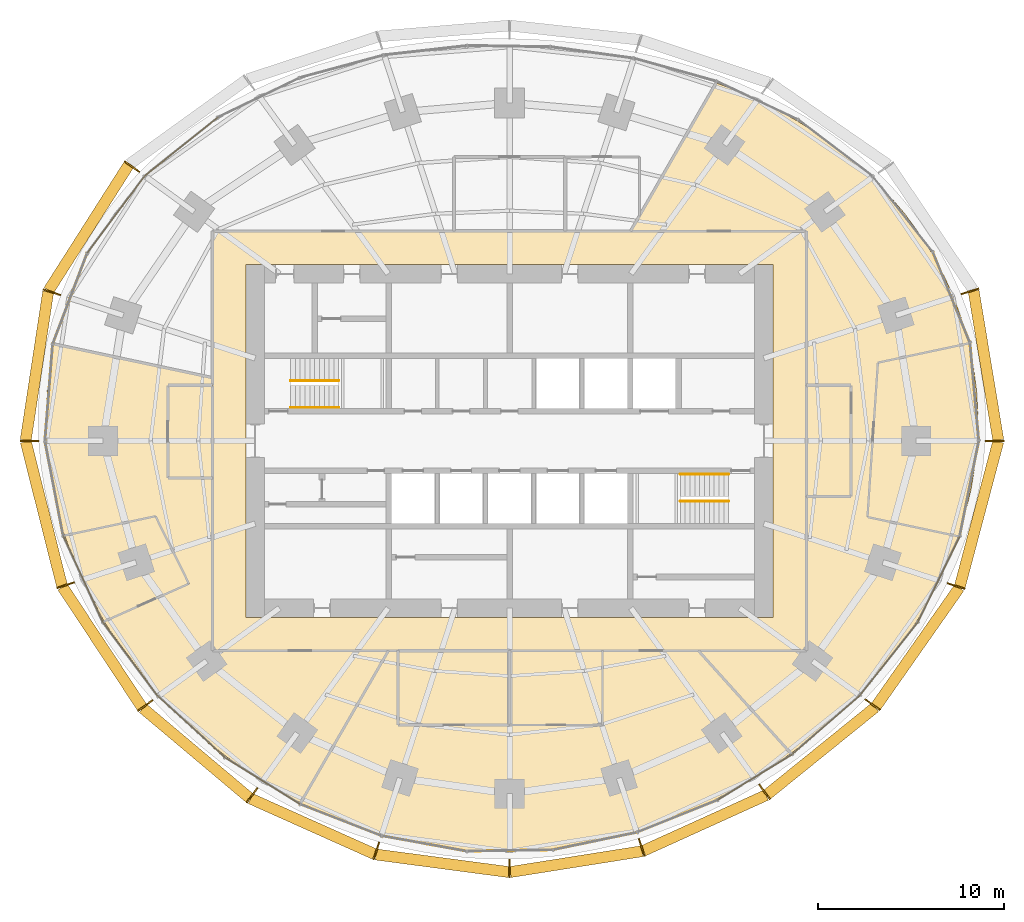
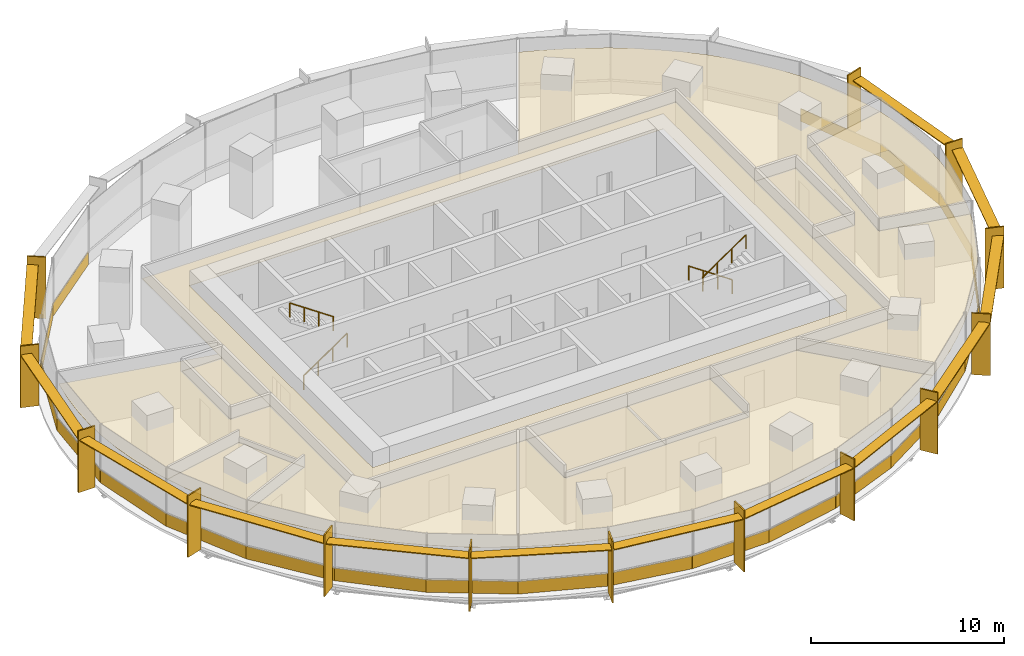
# One storey, part 13 of 14: 31 coverings, 27 shading devices, 4 railings.
"""IFC4 building model written with IfcOpenShell, lengths in metres."""

from ifc_helpers import new_model, si_unit, direction, frame, origin, origin_2d, place, context, subcontext, project, spatial, polyline, rectangle, circle, outline, extrude, material, layer, layer_set, type_object, element, save


model = new_model("IFC4")

# Units and contexts
model_context = context("Model", 3, precision=1e-05, world=origin(), true_north=direction((0.0, 1.0)))
body_context = subcontext(model_context, "Body", "Model", "MODEL_VIEW")
ifc_project = project(units=[si_unit("LENGTHUNIT", "METRE"), si_unit("AREAUNIT", "SQUARE_METRE"), si_unit("VOLUMEUNIT", "CUBIC_METRE"), si_unit("PLANEANGLEUNIT", "RADIAN"), si_unit("MASSUNIT", "GRAM", prefix="KILO")], contexts=[model_context])

# Site, building, storey
site_placement = place(None, origin())
site = spatial("IfcSite", under=ifc_project, at=site_placement, CompositionType="ELEMENT")
building_placement = place(site_placement, origin())
building = spatial("IfcBuilding", under=site, at=building_placement, Name="Marramba Exchange Tower", CompositionType="ELEMENT")
storey_placement = place(building_placement, frame((0.0, 0.0, 115.800048828125)))
storey = spatial("IfcBuildingStorey", under=building, at=storey_placement, Name="L27", CompositionType="ELEMENT", Elevation=115.800048828125)

# Shading devices
ifc_material_1 = material(Name="Aluminium blade, timber-look bronze finish", Category="wood")
ifc_layer_1 = layer(ifc_material_1, 0.080078125)
ifc_layer_set_1 = layer_set([ifc_layer_1], Name="Floor-edge blade 1000x80")
shading_device_type_1 = type_object("IfcShadingDeviceType", Name="Floor-edge blade 1000x80", PredefinedType="USERDEFINED", material=ifc_layer_set_1)
for number, where, z_axis, x_axis, name in (
    (1, (26.132080078125, 0.0, -0.159912109375), (0.0, 0.0, 1.0), (1.0, 0.0, 0.0), "Floor-edge blade FB1 L27 TC01"),
    (2, (24.798583984375, 8.0576171875, -0.159912109375), (0.0, 0.0, 1.0), (0.951056516295, 0.309016994375, 0.0), "Floor-edge blade FB1 L27 TC02"),
    (3, (-20.33642578125, 14.775390625, -0.159912109375), (0.0, 0.0, 1.0), (-0.809016994375, 0.587785252292, 0.0), "Floor-edge blade FB1 L27 TC09"),
    (4, (-24.653076171875, 8.01025390625, -0.159912109375), (0.0, 0.0, 1.0), (-0.951056516295, 0.309016994375, 0.0), "Floor-edge blade FB1 L27 TC10"),
    (5, (-25.867919921875, 0.0, -0.159912109375), (0.0, 0.0, 1.0), (-1.0, 0.0, 0.0), "Floor-edge blade FB1 L27 TC11"),
    (6, (-23.90673828125, -7.767822265625, -0.159912109375), (0.0, 0.0, 1.0), (-0.951056516295, -0.309016994375, 0.0), "Floor-edge blade FB1 L27 TC12"),
    (7, (-19.618408203125, -14.253662109375, -0.159912109375), (0.0, 0.0, 1.0), (-0.809016994375, -0.587785252292, 0.0), "Floor-edge blade FB1 L27 TC13"),
    (8, (-13.866943359375, -19.08642578125, -0.159912109375), (0.0, 0.0, 1.0), (-0.587785252292, -0.809016994375, 0.0), "Floor-edge blade FB1 L27 TC14"),
    (9, (-7.173828125, -22.078857421875, -0.159912109375), (0.0, 0.0, 1.0), (-0.309016994375, -0.951056516295, 0.0), "Floor-edge blade FB1 L27 TC15"),
    (10, (0.0, -23.02685546875, -0.159912109375), (0.0, 0.0, 1.0), (0.0, -1.0, 0.0), "Floor-edge blade FB1 L27 TC16"),
    (11, (7.115966796875, -21.900634765625, -0.159912109375), (0.0, 0.0, 1.0), (0.309016994375, -0.951056516295, 0.0), "Floor-edge blade FB1 L27 TC17"),
    (12, (13.733154296875, -18.902099609375, -0.159912109375), (0.0, 0.0, 1.0), (0.587785252292, -0.809016994375, 0.0), "Floor-edge blade FB1 L27 TC18"),
    (13, (19.555908203125, -14.208251953125, -0.159912109375), (0.0, 0.0, 1.0), (0.809016994375, -0.587785252292, 0.0), "Floor-edge blade FB1 L27 TC19"),
    (14, (24.052001953125, -7.81494140625, -0.159912109375), (0.0, 0.0, 1.0), (0.951056516295, -0.309016994375, 0.0), "Floor-edge blade FB1 L27 TC20"),
):
    element("IfcShadingDevice", number, at=place(storey_placement, frame(where, z_axis=z_axis, x_axis=x_axis)), inside=storey, type_object=shading_device_type_1, Name=name, ObjectType="FIN", PredefinedType="USERDEFINED", context=body_context, shape_type="SweptSolid", body=[
        extrude(rectangle(XDim=1.0, YDim=0.080078125, at=origin_2d()), origin(), (0.0, 0.0, 1.0), 3.89990234375),
    ])
ifc_material_2 = material(Name="Aluminium sunshade, bronze anodised", Category="aluminium")
ifc_layer_2 = layer(ifc_material_2, 0.06005859375)
ifc_layer_set_2 = layer_set([ifc_layer_2], Name="SUNSHADE blade 600x60")
shading_device_type_2 = type_object("IfcShadingDeviceType", Name="SUNSHADE blade 600x60", PredefinedType="USERDEFINED", material=ifc_layer_set_2)
shading_device_1_placement = place(storey_placement, frame((25.660400390625, 4.0595703125, 3.159912109375), z_axis=(0.0, 0.0, 1.0), x_axis=(-0.163227675764, 0.986588427798, 0.0)))
element("IfcShadingDevice", 15, at=shading_device_1_placement, inside=storey, type_object=shading_device_type_2, Name="Sunshade SS1 L27 bay 01", ObjectType="SUNSHADE", PredefinedType="USERDEFINED", context=body_context, shape_type="SweptSolid", body=[
    extrude(rectangle(XDim=8.149658203125, YDim=0.60009765625, at=origin_2d()), origin(), (0.0, 0.0, 1.0), 0.06005859375),
])
shading_device_2_placement = place(storey_placement, frame((-22.6708984375, 11.482421875, 3.159912109375), z_axis=(0.0, 0.0, 1.0), x_axis=(-0.537284770546, -0.843400898351, 0.0)))
element("IfcShadingDevice", 16, at=shading_device_2_placement, inside=storey, type_object=shading_device_type_2, Name="Sunshade SS1 L27 bay 09", ObjectType="SUNSHADE", PredefinedType="USERDEFINED", context=body_context, shape_type="SweptSolid", body=[
    extrude(rectangle(XDim=8.007080078125, YDim=0.60009765625, at=origin_2d()), origin(), (0.0, 0.0, 1.0), 0.06005859375),
])
shading_device_3_placement = place(storey_placement, frame((-25.455810546875, 4.0361328125, 3.159912109375), z_axis=(0.0, 0.0, 1.0), x_axis=(-0.14999307077, -0.988687047918, 0.0)))
element("IfcShadingDevice", 17, at=shading_device_3_placement, inside=storey, type_object=shading_device_type_2, Name="Sunshade SS1 L27 bay 10", ObjectType="SUNSHADE", PredefinedType="USERDEFINED", context=body_context, shape_type="SweptSolid", body=[
    extrude(rectangle(XDim=8.08447265625, YDim=0.60009765625, at=origin_2d()), origin(), (0.0, 0.0, 1.0), 0.06005859375),
])
shading_device_4_placement = place(storey_placement, frame((-25.08251953125, -3.914794921875, 3.159912109375), z_axis=(0.0, 0.0, 1.0), x_axis=(0.244116522902, -0.969745906537, 0.0)))
element("IfcShadingDevice", 18, at=shading_device_4_placement, inside=storey, type_object=shading_device_type_2, Name="Sunshade SS1 L27 bay 11", ObjectType="SUNSHADE", PredefinedType="USERDEFINED", context=body_context, shape_type="SweptSolid", body=[
    extrude(rectangle(XDim=7.993896484375, YDim=0.60009765625, at=origin_2d()), origin(), (0.0, 0.0, 1.0), 0.06005859375),
])
shading_device_5_placement = place(storey_placement, frame((-21.938720703125, -11.100341796875, 3.159912109375), z_axis=(0.0, 0.0, 1.0), x_axis=(0.550792342935, -0.834642315585, 0.0)))
element("IfcShadingDevice", 19, at=shading_device_5_placement, inside=storey, type_object=shading_device_type_2, Name="Sunshade SS1 L27 bay 12", ObjectType="SUNSHADE", PredefinedType="USERDEFINED", context=body_context, shape_type="SweptSolid", body=[
    extrude(rectangle(XDim=7.757568359375, YDim=0.60009765625, at=origin_2d()), origin(), (0.0, 0.0, 1.0), 0.06005859375),
])
shading_device_6_placement = place(storey_placement, frame((-16.88232421875, -16.8095703125, 3.159912109375), z_axis=(0.0, 0.0, 1.0), x_axis=(0.76513863304, -0.643865569998, 0.0)))
element("IfcShadingDevice", 20, at=shading_device_6_placement, inside=storey, type_object=shading_device_type_2, Name="Sunshade SS1 L27 bay 13", ObjectType="SUNSHADE", PredefinedType="USERDEFINED", context=body_context, shape_type="SweptSolid", body=[
    extrude(rectangle(XDim=7.49462890625, YDim=0.60009765625, at=origin_2d()), origin(), (0.0, 0.0, 1.0), 0.06005859375),
])
shading_device_7_placement = place(storey_placement, frame((-10.610107421875, -20.758544921875, 3.159912109375), z_axis=(0.0, 0.0, 1.0), x_axis=(0.912735880581, -0.408550134377, 0.0)))
element("IfcShadingDevice", 21, at=shading_device_7_placement, inside=storey, type_object=shading_device_type_2, Name="Sunshade SS1 L27 bay 14", ObjectType="SUNSHADE", PredefinedType="USERDEFINED", context=body_context, shape_type="SweptSolid", body=[
    extrude(rectangle(XDim=7.314208984375, YDim=0.60009765625, at=origin_2d()), origin(), (0.0, 0.0, 1.0), 0.06005859375),
])
shading_device_8_placement = place(storey_placement, frame((-3.617919921875, -22.748046875, 3.159912109375), z_axis=(0.0, 0.0, 1.0), x_axis=(0.991350478855, -0.131241106646, 0.0)))
element("IfcShadingDevice", 22, at=shading_device_8_placement, inside=storey, type_object=shading_device_type_2, Name="Sunshade SS1 L27 bay 15", ObjectType="SUNSHADE", PredefinedType="USERDEFINED", context=body_context, shape_type="SweptSolid", body=[
    extrude(rectangle(XDim=7.21875, YDim=0.60009765625, at=origin_2d()), origin(), (0.0, 0.0, 1.0), 0.06005859375),
])
shading_device_9_placement = place(storey_placement, frame((3.5888671875, -22.658935546875, 3.159912109375), z_axis=(0.0, 0.0, 1.0), x_axis=(0.987704817912, 0.15633039587, 0.0)))
element("IfcShadingDevice", 23, at=shading_device_9_placement, inside=storey, type_object=shading_device_type_2, Name="Sunshade SS1 L27 bay 16", ObjectType="SUNSHADE", PredefinedType="USERDEFINED", context=body_context, shape_type="SweptSolid", body=[
    extrude(rectangle(XDim=7.18701171875, YDim=0.60009765625, at=origin_2d()), origin(), (0.0, 0.0, 1.0), 0.06005859375),
])
shading_device_10_placement = place(storey_placement, frame((10.514404296875, -20.577392578125, 3.159912109375), z_axis=(0.0, 0.0, 1.0), x_axis=(0.910692240548, 0.413085515366, 0.0)))
element("IfcShadingDevice", 24, at=shading_device_10_placement, inside=storey, type_object=shading_device_type_2, Name="Sunshade SS1 L27 bay 17", ObjectType="SUNSHADE", PredefinedType="USERDEFINED", context=body_context, shape_type="SweptSolid", body=[
    extrude(rectangle(XDim=7.24755859375, YDim=0.60009765625, at=origin_2d()), origin(), (0.0, 0.0, 1.0), 0.06005859375),
])
shading_device_11_placement = place(storey_placement, frame((16.7841796875, -16.69482421875, 3.159912109375), z_axis=(0.0, 0.0, 1.0), x_axis=(0.777962439436, 0.628310785223, 0.0)))
element("IfcShadingDevice", 25, at=shading_device_11_placement, inside=storey, type_object=shading_device_type_2, Name="Sunshade SS1 L27 bay 18", ObjectType="SUNSHADE", PredefinedType="USERDEFINED", context=body_context, shape_type="SweptSolid", body=[
    extrude(rectangle(XDim=7.46142578125, YDim=0.60009765625, at=origin_2d()), origin(), (0.0, 0.0, 1.0), 0.06005859375),
])
shading_device_12_placement = place(storey_placement, frame((21.97998046875, -11.101318359375, 3.159912109375), z_axis=(0.0, 0.0, 1.0), x_axis=(0.574350885858, 0.818609222959, 0.0)))
element("IfcShadingDevice", 26, at=shading_device_12_placement, inside=storey, type_object=shading_device_type_2, Name="Sunshade SS1 L27 bay 19", ObjectType="SUNSHADE", PredefinedType="USERDEFINED", context=body_context, shape_type="SweptSolid", body=[
    extrude(rectangle(XDim=7.7978515625, YDim=0.60009765625, at=origin_2d()), origin(), (0.0, 0.0, 1.0), 0.06005859375),
])
shading_device_13_placement = place(storey_placement, frame((25.287109375, -3.9384765625, 3.159912109375), z_axis=(0.0, 0.0, 1.0), x_axis=(0.256422950151, 0.966564674833, 0.0)))
element("IfcShadingDevice", 27, at=shading_device_13_placement, inside=storey, type_object=shading_device_type_2, Name="Sunshade SS1 L27 bay 20", ObjectType="SUNSHADE", PredefinedType="USERDEFINED", context=body_context, shape_type="SweptSolid", body=[
    extrude(rectangle(XDim=8.0693359375, YDim=0.60009765625, at=origin_2d()), origin(), (0.0, 0.0, 1.0), 0.06005859375),
])

# Coverings
ifc_material_3 = material(Name="Aluminium spandrel panel, bronze anodised, insulated", Category="aluminium")
ifc_layer_3 = layer(ifc_material_3, 0.050048828125)
ifc_layer_set_3 = layer_set([ifc_layer_3], Name="Spandrel panel 800")
covering_type_1 = type_object("IfcCoveringType", Name="Spandrel panel 800", PredefinedType="CLADDING", material=ifc_layer_set_3)
covering_1_placement = place(storey_placement, frame((25.04541015625, 2.63671875, 0.0), z_axis=(0.0, 0.0, 1.0), x_axis=(-0.089412890131, 0.995994646109, 0.0)))
element("IfcCovering", 28, at=covering_1_placement, inside=storey, type_object=covering_type_1, Name="Spandrel panel SP1 L27 F01", PredefinedType="CLADDING", context=body_context, shape_type="SweptSolid", body=[
    extrude(rectangle(XDim=5.29443359375, YDim=0.050048828125, at=origin_2d()), origin(), (0.0, 0.0, 1.0), 0.800048828125),
])
covering_2_placement = place(storey_placement, frame((23.81201171875, 7.715576171875, 0.0), z_axis=(0.0, 0.0, 1.0), x_axis=(-0.377821185272, 0.925878583811, 0.0)))
element("IfcCovering", 29, at=covering_2_placement, inside=storey, type_object=covering_type_1, Name="Spandrel panel SP1 L27 F02", PredefinedType="CLADDING", context=body_context, shape_type="SweptSolid", body=[
    extrude(rectangle(XDim=5.27587890625, YDim=0.050048828125, at=origin_2d()), origin(), (0.0, 0.0, 1.0), 0.800048828125),
])
covering_3_placement = place(storey_placement, frame((-17.673095703125, 15.854736328125, 0.0), z_axis=(0.0, 0.0, 1.0), x_axis=(-0.781178328369, -0.624307952285, 0.0)))
element("IfcCovering", 30, at=covering_3_placement, inside=storey, type_object=covering_type_1, Name="Spandrel panel SP1 L27 F12", PredefinedType="CLADDING", context=body_context, shape_type="SweptSolid", body=[
    extrude(rectangle(XDim=5.058349609375, YDim=0.050048828125, at=origin_2d()), origin(), (0.0, 0.0, 1.0), 0.800048828125),
])
covering_4_placement = place(storey_placement, frame((-21.19580078125, 12.20068359375, 0.0), z_axis=(0.0, 0.0, 1.0), x_axis=(-0.597703998161, -0.801716864349, 0.0)))
element("IfcCovering", 31, at=covering_4_placement, inside=storey, type_object=covering_type_1, Name="Spandrel panel SP1 L27 F13", PredefinedType="CLADDING", context=body_context, shape_type="SweptSolid", body=[
    extrude(rectangle(XDim=5.17626953125, YDim=0.050048828125, at=origin_2d()), origin(), (0.0, 0.0, 1.0), 0.800048828125),
])
covering_5_placement = place(storey_placement, frame((-23.671875, 7.677490234375, 0.0), z_axis=(0.0, 0.0, 1.0), x_axis=(-0.354844476365, -0.934925343326, 0.0)))
element("IfcCovering", 32, at=covering_5_placement, inside=storey, type_object=covering_type_1, Name="Spandrel panel SP1 L27 F14", PredefinedType="CLADDING", context=body_context, shape_type="SweptSolid", body=[
    extrude(rectangle(XDim=5.2373046875, YDim=0.050048828125, at=origin_2d()), origin(), (0.0, 0.0, 1.0), 0.800048828125),
])
covering_6_placement = place(storey_placement, frame((-24.8095703125, 2.614501953125, 0.0), z_axis=(0.0, 0.0, 1.0), x_axis=(-0.079459700697, -0.996838079111, 0.0)))
element("IfcCovering", 33, at=covering_6_placement, inside=storey, type_object=covering_type_1, Name="Spandrel panel SP1 L27 F15", PredefinedType="CLADDING", context=body_context, shape_type="SweptSolid", body=[
    extrude(rectangle(XDim=5.245849609375, YDim=0.050048828125, at=origin_2d()), origin(), (0.0, 0.0, 1.0), 0.800048828125),
])
covering_7_placement = place(storey_placement, frame((-24.5283203125, -2.5546875, 0.0), z_axis=(0.0, 0.0, 1.0), x_axis=(0.188227222909, -0.982125507538, 0.0)))
element("IfcCovering", 34, at=covering_7_placement, inside=storey, type_object=covering_type_1, Name="Spandrel panel SP1 L27 F16", PredefinedType="CLADDING", context=body_context, shape_type="SweptSolid", body=[
    extrude(rectangle(XDim=5.20263671875, YDim=0.050048828125, at=origin_2d()), origin(), (0.0, 0.0, 1.0), 0.800048828125),
])
covering_8_placement = place(storey_placement, frame((-22.973876953125, -7.43212890625, 0.0), z_axis=(0.0, 0.0, 1.0), x_axis=(0.416737850896, -0.909026712275, 0.0)))
element("IfcCovering", 35, at=covering_8_placement, inside=storey, type_object=covering_type_1, Name="Spandrel panel SP1 L27 F17", PredefinedType="CLADDING", context=body_context, shape_type="SweptSolid", body=[
    extrude(rectangle(XDim=5.10986328125, YDim=0.050048828125, at=origin_2d()), origin(), (0.0, 0.0, 1.0), 0.800048828125),
])
covering_9_placement = place(storey_placement, frame((-20.419921875, -11.75439453125, 0.0), z_axis=(0.0, 0.0, 1.0), x_axis=(0.597304701232, -0.802014397555, 0.0)))
element("IfcCovering", 36, at=covering_9_placement, inside=storey, type_object=covering_type_1, Name="Spandrel panel SP1 L27 F18", PredefinedType="CLADDING", context=body_context, shape_type="SweptSolid", body=[
    extrude(rectangle(XDim=4.986572265625, YDim=0.050048828125, at=origin_2d()), origin(), (0.0, 0.0, 1.0), 0.800048828125),
])
covering_10_placement = place(storey_placement, frame((-17.135986328125, -15.39599609375, 0.0), z_axis=(0.0, 0.0, 1.0), x_axis=(0.737821889246, -0.674995451651, 0.0)))
element("IfcCovering", 37, at=covering_10_placement, inside=storey, type_object=covering_type_1, Name="Spandrel panel SP1 L27 F19", PredefinedType="CLADDING", context=body_context, shape_type="SweptSolid", body=[
    extrude(rectangle(XDim=4.865234375, YDim=0.050048828125, at=origin_2d()), origin(), (0.0, 0.0, 1.0), 0.800048828125),
])
covering_11_placement = place(storey_placement, frame((-13.31787109375, -18.300537109375, 0.0), z_axis=(0.0, 0.0, 1.0), x_axis=(0.848354599309, -0.529428440708, 0.0)))
element("IfcCovering", 38, at=covering_11_placement, inside=storey, type_object=covering_type_1, Name="Spandrel panel SP1 L27 F20", PredefinedType="CLADDING", context=body_context, shape_type="SweptSolid", body=[
    extrude(rectangle(XDim=4.76953125, YDim=0.050048828125, at=origin_2d()), origin(), (0.0, 0.0, 1.0), 0.800048828125),
])
covering_12_placement = place(storey_placement, frame((-9.10302734375, -20.416748046875, 0.0), z_axis=(0.0, 0.0, 1.0), x_axis=(0.931818387481, -0.362924913381, 0.0)))
element("IfcCovering", 39, at=covering_12_placement, inside=storey, type_object=covering_type_1, Name="Spandrel panel SP1 L27 F21", PredefinedType="CLADDING", context=body_context, shape_type="SweptSolid", body=[
    extrude(rectangle(XDim=4.704345703125, YDim=0.050048828125, at=origin_2d()), origin(), (0.0, 0.0, 1.0), 0.800048828125),
])
covering_13_placement = place(storey_placement, frame((-4.616943359375, -21.685302734375, 0.0), z_axis=(0.0, 0.0, 1.0), x_axis=(0.984031866928, -0.177992373069, 0.0)))
element("IfcCovering", 40, at=covering_13_placement, inside=storey, type_object=covering_type_1, Name="Spandrel panel SP1 L27 F22", PredefinedType="CLADDING", context=body_context, shape_type="SweptSolid", body=[
    extrude(rectangle(XDim=4.662841796875, YDim=0.050048828125, at=origin_2d()), origin(), (0.0, 0.0, 1.0), 0.800048828125),
])
covering_14_placement = place(storey_placement, frame((-0.003662109375, -22.065185546875, 0.0), z_axis=(0.0, 0.0, 1.0), x_axis=(0.999884797651, 0.015178650325, 0.0)))
element("IfcCovering", 41, at=covering_14_placement, inside=storey, type_object=covering_type_1, Name="Spandrel panel SP1 L27 F23", PredefinedType="CLADDING", context=body_context, shape_type="SweptSolid", body=[
    extrude(rectangle(XDim=4.638916015625, YDim=0.050048828125, at=origin_2d()), origin(), (0.0, 0.0, 1.0), 0.800048828125),
])
covering_15_placement = place(storey_placement, frame((4.58447265625, -21.56103515625, 0.0), z_axis=(0.0, 0.0, 1.0), x_axis=(0.979310200528, 0.202364846604, 0.0)))
element("IfcCovering", 42, at=covering_15_placement, inside=storey, type_object=covering_type_1, Name="Spandrel panel SP1 L27 F24", PredefinedType="CLADDING", context=body_context, shape_type="SweptSolid", body=[
    extrude(rectangle(XDim=4.6337890625, YDim=0.050048828125, at=origin_2d()), origin(), (0.0, 0.0, 1.0), 0.800048828125),
])
covering_16_placement = place(storey_placement, frame((9.014892578125, -20.225341796875, 0.0), z_axis=(0.0, 0.0, 1.0), x_axis=(0.928148914987, 0.372209069755, 0.0)))
element("IfcCovering", 43, at=covering_16_placement, inside=storey, type_object=covering_type_1, Name="Spandrel panel SP1 L27 F25", PredefinedType="CLADDING", context=body_context, shape_type="SweptSolid", body=[
    extrude(rectangle(XDim=4.657958984375, YDim=0.050048828125, at=origin_2d()), origin(), (0.0, 0.0, 1.0), 0.800048828125),
])
covering_17_placement = place(storey_placement, frame((13.193115234375, -18.125244140625, 0.0), z_axis=(0.0, 0.0, 1.0), x_axis=(0.853109118827, 0.521732528576, 0.0)))
element("IfcCovering", 44, at=covering_17_placement, inside=storey, type_object=covering_type_1, Name="Spandrel panel SP1 L27 F26", PredefinedType="CLADDING", context=body_context, shape_type="SweptSolid", body=[
    extrude(rectangle(XDim=4.7275390625, YDim=0.050048828125, at=origin_2d()), origin(), (0.0, 0.0, 1.0), 0.800048828125),
])
covering_18_placement = place(storey_placement, frame((17.038818359375, -15.30029296875, 0.0), z_axis=(0.0, 0.0, 1.0), x_axis=(0.754385510875, 0.656431642277, 0.0)))
element("IfcCovering", 45, at=covering_18_placement, inside=storey, type_object=covering_type_1, Name="Spandrel panel SP1 L27 F27", PredefinedType="CLADDING", context=body_context, shape_type="SweptSolid", body=[
    extrude(rectangle(XDim=4.849609375, YDim=0.050048828125, at=origin_2d()), origin(), (0.0, 0.0, 1.0), 0.800048828125),
])
covering_19_placement = place(storey_placement, frame((20.425048828125, -11.747802734375, 0.0), z_axis=(0.0, 0.0, 1.0), x_axis=(0.621807470279, 0.783170141097, 0.0)))
element("IfcCovering", 46, at=covering_19_placement, inside=storey, type_object=covering_type_1, Name="Spandrel panel SP1 L27 F28", PredefinedType="CLADDING", context=body_context, shape_type="SweptSolid", body=[
    extrude(rectangle(XDim=5.00732421875, YDim=0.050048828125, at=origin_2d()), origin(), (0.0, 0.0, 1.0), 0.800048828125),
])
covering_20_placement = place(storey_placement, frame((23.114013671875, -7.47021484375, 0.0), z_axis=(0.0, 0.0, 1.0), x_axis=(0.439086346903, 0.898444867515, 0.0)))
element("IfcCovering", 47, at=covering_20_placement, inside=storey, type_object=covering_type_1, Name="Spandrel panel SP1 L27 F29", PredefinedType="CLADDING", context=body_context, shape_type="SweptSolid", body=[
    extrude(rectangle(XDim=5.156982421875, YDim=0.050048828125, at=origin_2d()), origin(), (0.0, 0.0, 1.0), 0.800048828125),
])
covering_21_placement = place(storey_placement, frame((24.76416015625, -2.576904296875, 0.0), z_axis=(0.0, 0.0, 1.0), x_axis=(0.197048514193, 0.980393738788, 0.0)))
element("IfcCovering", 48, at=covering_21_placement, inside=storey, type_object=covering_type_1, Name="Spandrel panel SP1 L27 F30", PredefinedType="CLADDING", context=body_context, shape_type="SweptSolid", body=[
    extrude(rectangle(XDim=5.2568359375, YDim=0.050048828125, at=origin_2d()), origin(), (0.0, 0.0, 1.0), 0.800048828125),
])

# Railings
ifc_material_4 = material(Name="Stainless steel handrail", Category="steel")
railing_type = type_object("IfcRailingType", Name="Stair handrail 900", PredefinedType="HANDRAIL", material=ifc_material_4)
railing_1_placement = place(storey_placement, frame((-11.800048828125, 1.800048828125, 0.17724609375)))
element("IfcRailing", 49, at=railing_1_placement, inside=storey, type_object=railing_type, Name="Handrail HR1 ST1 L27 flight 1", PredefinedType="HANDRAIL", context=body_context, shape_type="SweptSolid", body=[
    extrude(circle(Radius=0.02392578125, at=origin_2d()), frame((0.0, 0.0, 0.8759765625), z_axis=(0.826240473404, 0.0, 0.563317565952), x_axis=(0.0, 1.0, 0.0)), (0.0, 0.0, 1.0), 3.14697265625),
    extrude(circle(Radius=0.02099609375, at=origin_2d()), origin(), (0.0, 0.0, 1.0), 0.851806640625),
    extrude(circle(Radius=0.02099609375, at=origin_2d()), frame((0.86669921875, 0.0, 0.5908203125)), (0.0, 0.0, 1.0), 0.851806640625),
    extrude(circle(Radius=0.02099609375, at=origin_2d()), frame((1.7333984375, 0.0, 1.181884765625)), (0.0, 0.0, 1.0), 0.851806640625),
    extrude(circle(Radius=0.02099609375, at=origin_2d()), frame((2.60009765625, 0.0, 1.772705078125)), (0.0, 0.0, 1.0), 0.851806640625),
])
for number, where, name in (
    (50, (-9.199951171875, 3.25, 2.127197265625), "Handrail HR1 ST1 L27 flight 2"),
    (51, (11.800048828125, -1.800048828125, 0.17724609375), "Handrail HR1 ST2 L27 flight 1"),
):
    element("IfcRailing", number, at=place(storey_placement, frame(where)), inside=storey, type_object=railing_type, Name=name, PredefinedType="HANDRAIL", context=body_context, shape_type="SweptSolid", body=[
        extrude(circle(Radius=0.02392578125, at=origin_2d()), frame((0.0, 0.0, 0.8759765625), z_axis=(-0.826240473404, 0.0, 0.563317565952), x_axis=(0.0, -1.0, 0.0)), (0.0, 0.0, 1.0), 3.14697265625),
        extrude(circle(Radius=0.02099609375, at=origin_2d()), origin(), (0.0, 0.0, 1.0), 0.851806640625),
        extrude(circle(Radius=0.02099609375, at=origin_2d()), frame((-0.86669921875, 0.0, 0.5908203125)), (0.0, 0.0, 1.0), 0.851806640625),
        extrude(circle(Radius=0.02099609375, at=origin_2d()), frame((-1.7333984375, 0.0, 1.181884765625)), (0.0, 0.0, 1.0), 0.851806640625),
        extrude(circle(Radius=0.02099609375, at=origin_2d()), frame((-2.60009765625, 0.0, 1.772705078125)), (0.0, 0.0, 1.0), 0.851806640625),
    ])
railing_2_placement = place(storey_placement, frame((9.199951171875, -3.25, 2.127197265625)))
element("IfcRailing", 52, at=railing_2_placement, inside=storey, type_object=railing_type, Name="Handrail HR1 ST2 L27 flight 2", PredefinedType="HANDRAIL", context=body_context, shape_type="SweptSolid", body=[
    extrude(circle(Radius=0.02392578125, at=origin_2d()), frame((0.0, 0.0, 0.8759765625), z_axis=(0.826240473404, 0.0, 0.563317565952), x_axis=(0.0, 1.0, 0.0)), (0.0, 0.0, 1.0), 3.14697265625),
    extrude(circle(Radius=0.02099609375, at=origin_2d()), origin(), (0.0, 0.0, 1.0), 0.851806640625),
    extrude(circle(Radius=0.02099609375, at=origin_2d()), frame((0.86669921875, 0.0, 0.5908203125)), (0.0, 0.0, 1.0), 0.851806640625),
    extrude(circle(Radius=0.02099609375, at=origin_2d()), frame((1.7333984375, 0.0, 1.181884765625)), (0.0, 0.0, 1.0), 0.851806640625),
    extrude(circle(Radius=0.02099609375, at=origin_2d()), frame((2.60009765625, 0.0, 1.772705078125)), (0.0, 0.0, 1.0), 0.851806640625),
])

# Coverings
ifc_material_5 = material(Name="Mineral fibre ceiling tiles", Category="gypsum")
ifc_layer_4 = layer(ifc_material_5, 0.02001953125)
ifc_layer_set_4 = layer_set([ifc_layer_4], Name="Suspended ceiling 20")
covering_type_2 = type_object("IfcCoveringType", Name="Suspended ceiling 20", PredefinedType="CEILING", material=ifc_layer_set_4)
covering_22_placement = place(storey_placement, frame((0.0, 0.0, 2.89990234375)))
element("IfcCovering", 53, at=covering_22_placement, inside=storey, type_object=covering_type_2, Name="Ceiling CL1 L27 Open Plan Office 1", PredefinedType="CEILING", context=body_context, shape_type="SweptSolid", body=[
    extrude(outline(polyline([(16.0, -3.0), (18.39990234375, -3.0), (18.39990234375, 3.0), (16.0, 3.0), (16.0, 11.300048828125), (6.524169921875, 11.300048828125), (11.13671875, 19.289306640625), (12.24658203125, 18.8583984375), (13.348876953125, 18.373046875), (14.43896484375, 17.830810546875), (15.512451171875, 17.228271484375), (16.563720703125, 16.563720703125), (17.5869140625, 15.835205078125), (18.5751953125, 15.041748046875), (19.521484375, 14.18310546875), (20.4189453125, 13.26025390625), (21.259765625, 12.2744140625), (22.03662109375, 11.228271484375), (22.7421875, 10.12548828125), (23.3701171875, 8.970947265625), (23.9140625, 7.77001953125), (24.368896484375, 6.529541015625), (24.73046875, 5.256591796875), (19.839599609375, 4.217041015625), (19.277099609375, -4.097412109375), (24.16796875, -5.136962890625), (23.703125, -6.351318359375), (23.16748046875, -7.527587890625), (22.5673828125, -8.662841796875), (21.90869140625, -9.75439453125), (21.197509765625, -10.80078125), (20.439697265625, -11.80078125), (19.64013671875, -12.75439453125), (18.803466796875, -13.66162109375), (17.93359375, -14.5224609375), (17.033935546875, -15.33740234375), (16.107421875, -16.107421875), (15.156005859375, -16.83251953125), (10.174560546875, -11.300048828125), (16.0, -11.300048828125), (16.0, -3.0)])), origin(), (0.0, 0.0, 1.0), 0.02001953125),
])
covering_23_placement = place(storey_placement, frame((0.0, 0.0, 2.89990234375)))
element("IfcCovering", 54, at=covering_23_placement, inside=storey, type_object=covering_type_2, Name="Ceiling CL1 L27 Office 3", PredefinedType="CEILING", context=body_context, shape_type="SweptSolid", body=[
    extrude(outline(polyline([(-13.3203125, -18.333984375), (-14.317138671875, -17.68017578125), (-15.28759765625, -16.978515625), (-16.229736328125, -16.229736328125), (-17.1416015625, -15.434326171875), (-18.021240234375, -14.59326171875), (-18.865966796875, -13.706787109375), (-19.673095703125, -12.77587890625), (-20.439697265625, -11.80078125), (-21.162109375, -10.78271484375), (-21.836181640625, -9.72216796875), (-17.268310546875, -7.6884765625), (-19.069580078125, -4.053466796875), (-23.96044921875, -5.093017578125), (-24.32421875, -3.8525390625), (-24.611083984375, -2.586669921875), (-24.81689453125, -1.300537109375), (-24.93798828125, 0.0), (-24.970947265625, 1.30859375), (-24.913330078125, 2.618408203125), (-24.76416015625, 3.92236328125), (-24.52294921875, 5.21240234375), (-16.0, 3.40087890625), (-16.0, 3.0), (-18.39990234375, 3.0), (-18.39990234375, -2.0), (-16.0, -2.0), (-16.0, -11.300048828125), (-6.524169921875, -11.300048828125), (-11.2548828125, -19.493896484375), (-12.299072265625, -18.938720703125), (-13.3203125, -18.333984375)])), origin(), (0.0, 0.0, 1.0), 0.02001953125),
])
covering_24_placement = place(storey_placement, frame((0.0, 0.0, 2.89990234375)))
element("IfcCovering", 55, at=covering_24_placement, inside=storey, type_object=covering_type_2, Name="Ceiling CL1 L27 Office 4", PredefinedType="CEILING", context=body_context, shape_type="SweptSolid", body=[
    extrude(outline(polyline([(12.440185546875, -13.81640625), (15.156005859375, -16.83251953125), (14.181884765625, -17.51318359375), (13.1865234375, -18.14990234375), (12.171142578125, -18.741943359375), (11.13671875, -19.289306640625), (10.083984375, -19.791259765625), (9.0146484375, -20.2470703125), (7.928955078125, -20.65576171875), (6.82861328125, -21.01611328125), (5.714599609375, -21.3271484375), (4.58837890625, -21.587158203125), (3.4521484375, -21.79541015625), (2.30712890625, -21.950439453125), (1.15576171875, -22.05126953125), (0.0, -22.096923828125), (-1.157470703125, -22.0869140625), (-2.314453125, -22.020751953125), (-3.468505859375, -21.898193359375), (-4.61669921875, -21.719482421875), (-5.7568359375, -21.484619140625), (-6.886474609375, -21.1943359375), (-8.00341796875, -20.84912109375), (-9.10498046875, -20.4501953125), (-10.189453125, -19.997802734375), (-11.2548828125, -19.493896484375), (-6.524169921875, -11.300048828125), (-6.0, -11.300048828125), (-6.0, -15.300048828125), (0.0, -15.300048828125), (5.0, -15.300048828125), (5.0, -11.300048828125), (10.174560546875, -11.300048828125), (12.440185546875, -13.81640625)])), origin(), (0.0, 0.0, 1.0), 0.02001953125),
])
covering_25_placement = place(storey_placement, frame((0.0, 0.0, 2.89990234375)))
element("IfcCovering", 56, at=covering_25_placement, inside=storey, type_object=covering_type_2, Name="Ceiling CL1 L27 Corridor", PredefinedType="CEILING", context=body_context, shape_type="SweptSolid", body=[
    extrude(outline(polyline([(-16.0, 11.300048828125), (16.0, 11.300048828125), (16.0, -11.300048828125), (-16.0, -11.300048828125), (-16.0, 11.300048828125)]), holes=[polyline([(-14.199951171875, 9.5), (-14.199951171875, -9.5), (14.199951171875, -9.5), (14.199951171875, 9.5), (-14.199951171875, 9.5)])]), origin(), (0.0, 0.0, 1.0), 0.02001953125),
])
covering_26_placement = place(storey_placement, frame((0.0, 0.0, 2.89990234375)))
element("IfcCovering", 57, at=covering_26_placement, inside=storey, type_object=covering_type_2, Name="Ceiling CL1 L27 Office 1", PredefinedType="CEILING", context=body_context, shape_type="SweptSolid", body=[
    extrude(outline(polyline([(24.86328125, 4.6064453125), (24.99560546875, 3.958984375), (25.16259765625, 2.644775390625), (25.186279296875, 2.190185546875), (25.231201171875, 1.322265625), (25.201904296875, 0.0), (25.181884765625, -0.212646484375), (25.077392578125, -1.314208984375), (24.96533203125, -1.984619140625), (24.8603515625, -2.61279296875), (24.80078125, -2.862548828125), (24.555419921875, -3.88916015625), (24.16796875, -5.136962890625), (19.277099609375, -4.097412109375), (19.839599609375, 4.217041015625), (24.73046875, 5.256591796875), (24.86328125, 4.6064453125)])), origin(), (0.0, 0.0, 1.0), 0.02001953125),
])
covering_27_placement = place(storey_placement, frame((0.0, 0.0, 2.89990234375)))
element("IfcCovering", 58, at=covering_27_placement, inside=storey, type_object=covering_type_2, Name="Ceiling CL1 L27 Office 2", PredefinedType="CEILING", context=body_context, shape_type="SweptSolid", body=[
    extrude(outline(polyline([(-22.188232421875, -9.098388671875), (-22.457763671875, -8.62060546875), (-23.022216796875, -7.48046875), (-23.407470703125, -6.57861328125), (-23.52490234375, -6.303466796875), (-23.96044921875, -5.093017578125), (-19.069580078125, -4.053466796875), (-17.268310546875, -7.6884765625), (-21.836181640625, -9.72216796875), (-22.188232421875, -9.098388671875)])), origin(), (0.0, 0.0, 1.0), 0.02001953125),
])
covering_28_placement = place(storey_placement, frame((0.0, 0.0, 2.89990234375)))
element("IfcCovering", 59, at=covering_28_placement, inside=storey, type_object=covering_type_2, Name="Ceiling CL1 L27 Meeting Room 1", PredefinedType="CEILING", context=body_context, shape_type="SweptSolid", body=[
    extrude(outline(polyline([(18.39990234375, -3.0), (16.0, -3.0), (16.0, 3.0), (18.39990234375, 3.0), (18.39990234375, -3.0)])), origin(), (0.0, 0.0, 1.0), 0.02001953125),
])
covering_29_placement = place(storey_placement, frame((0.0, 0.0, 2.89990234375)))
element("IfcCovering", 60, at=covering_29_placement, inside=storey, type_object=covering_type_2, Name="Ceiling CL1 L27 Meeting Room 3", PredefinedType="CEILING", context=body_context, shape_type="SweptSolid", body=[
    extrude(outline(polyline([(-16.0, -2.0), (-18.39990234375, -2.0), (-18.39990234375, 3.0), (-16.0, 3.0), (-16.0, -2.0)])), origin(), (0.0, 0.0, 1.0), 0.02001953125),
])
covering_30_placement = place(storey_placement, frame((0.0, 0.0, 2.89990234375)))
element("IfcCovering", 61, at=covering_30_placement, inside=storey, type_object=covering_type_2, Name="Ceiling CL1 L27 Meeting Room 4", PredefinedType="CEILING", context=body_context, shape_type="SweptSolid", body=[
    extrude(outline(polyline([(0.0, -15.300048828125), (-6.0, -15.300048828125), (-6.0, -11.300048828125), (0.0, -11.300048828125), (0.0, -15.300048828125)])), origin(), (0.0, 0.0, 1.0), 0.02001953125),
])
covering_31_placement = place(storey_placement, frame((0.0, 0.0, 2.89990234375)))
element("IfcCovering", 62, at=covering_31_placement, inside=storey, type_object=covering_type_2, Name="Ceiling CL1 L27 Pantry 2", PredefinedType="CEILING", context=body_context, shape_type="SweptSolid", body=[
    extrude(outline(polyline([(5.0, -15.300048828125), (0.0, -15.300048828125), (0.0, -11.300048828125), (5.0, -11.300048828125), (5.0, -15.300048828125)])), origin(), (0.0, 0.0, 1.0), 0.02001953125),
])

save(model, "model.ifc")
